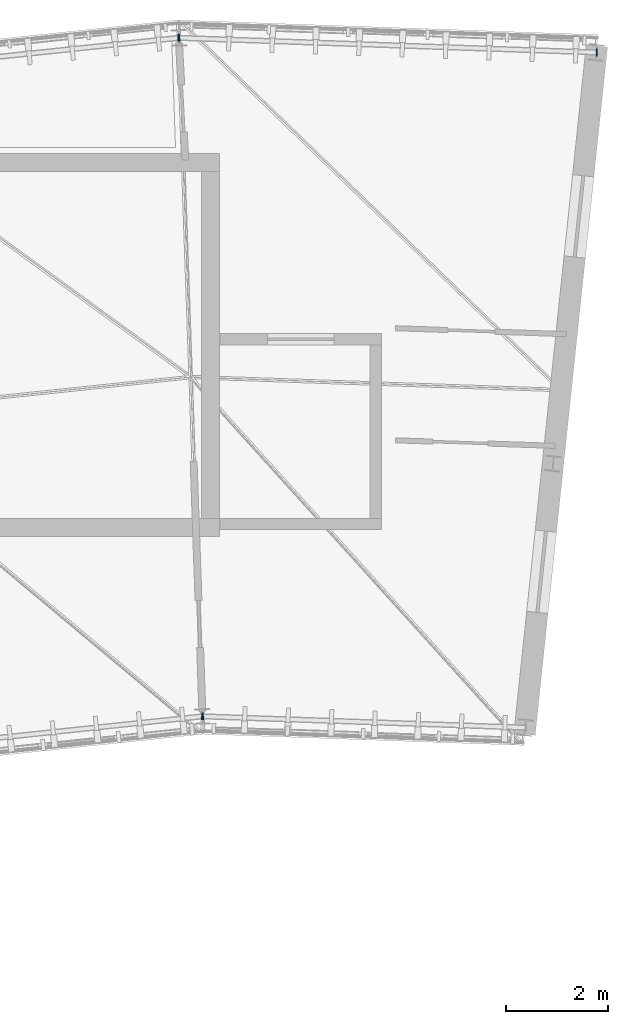
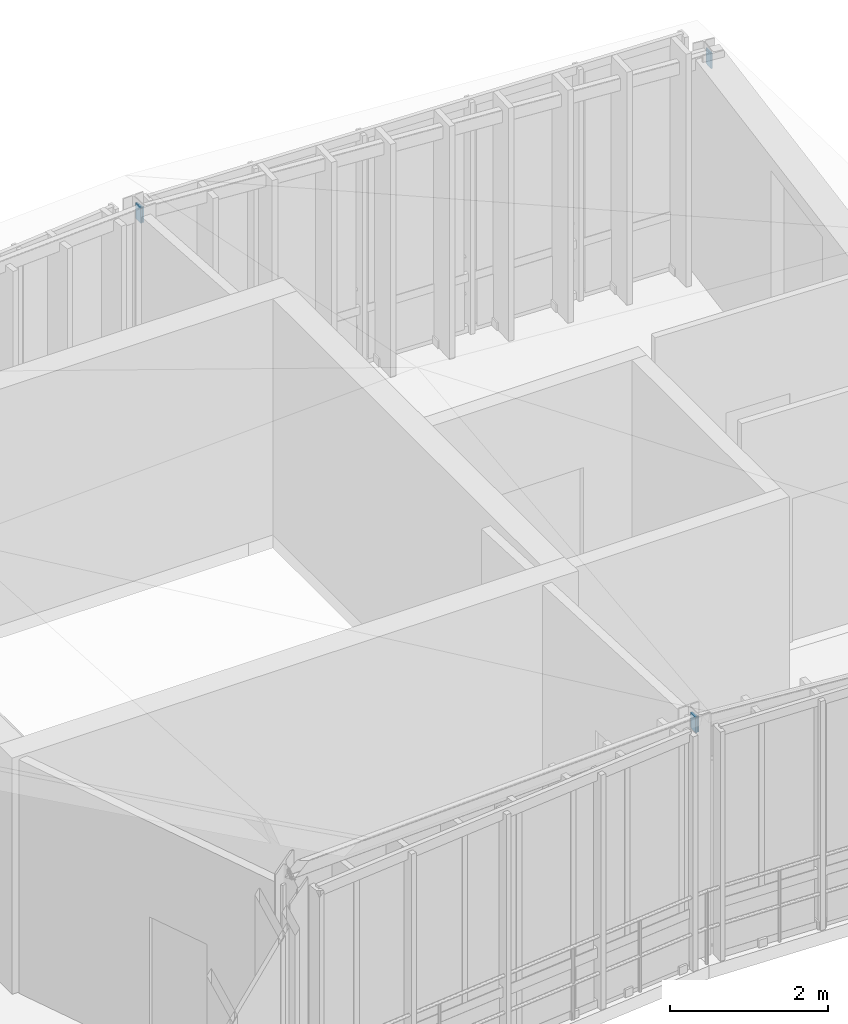
# One storey, part 28 of 42: 5 plates.
"""IFC4 building model written with IfcOpenShell, lengths in metres."""

from ifc_helpers import new_model, si_unit, direction, frame, origin, origin_2d, place, context, subcontext, project, spatial, rectangle, extrude, material, layer, layer_set, type_object, element, save


model = new_model("IFC4")

# Units and contexts
model_context = context("Model", 3, precision=1e-05, world=origin(), true_north=direction((0.0, 1.0)))
body_context = subcontext(model_context, "Body", "Model", "MODEL_VIEW")
ifc_project = project(units=[si_unit("LENGTHUNIT", "METRE"), si_unit("AREAUNIT", "SQUARE_METRE"), si_unit("VOLUMEUNIT", "CUBIC_METRE"), si_unit("PLANEANGLEUNIT", "RADIAN"), si_unit("MASSUNIT", "GRAM", prefix="KILO"), si_unit("THERMODYNAMICTEMPERATUREUNIT", "KELVIN"), si_unit("POWERUNIT", "WATT")], contexts=[model_context])

# Site, building, storey
site_placement = place(None, origin())
site = spatial("IfcSite", under=ifc_project, at=site_placement, CompositionType="ELEMENT")
building_placement = place(site_placement, origin())
building = spatial("IfcBuilding", under=site, at=building_placement, Name="Solvatero Civic Police Headquarters", CompositionType="ELEMENT")
storey_placement = place(building_placement, frame((0.0, 0.0, 21.60009765625)))
storey = spatial("IfcBuildingStorey", under=building, at=storey_placement, Name="L05", CompositionType="ELEMENT", Elevation=21.60009765625)

# Plates
ifc_material = material(Name="Steel S355", Category="steel")
ifc_layer = layer(ifc_material, 0.02001953125)
ifc_layer_set = layer_set([ifc_layer], Name="Steel S355")
plate_type = type_object("IfcPlateType", Name="PLT-CAP-20", PredefinedType="SHEET", material=ifc_layer_set)
for number, where, z_axis, x_axis, name in (
    (1, (92.4072265625, 71.32275390625, 3.44970703125), (0.0, 0.0, 1.0), (-0.999390827019, 0.034899496703, 0.0), "Hollow Section End Cap Plate 0184"),
    (2, (100.140625, 84.328369140625, 3.14990234375), (0.0, 0.0, 1.0), (-0.999390827019, 0.034899496703, 0.0), "Hollow Section End Cap Plate 0185"),
    (3, (91.943115234375, 84.614501953125, 3.44970703125), (0.0, 0.0, 1.0), (-0.999390827019, 0.034899496703, 0.0), "Hollow Section End Cap Plate 0186"),
    (4, (92.42724609375, 71.323486328125, 3.44970703125), (0.0, 0.0, 1.0), (-0.994520070851, -0.104545820933, 0.0), "Hollow Section End Cap Plate 0187"),
    (5, (91.962890625, 84.615234375, 3.44970703125), (0.0, 0.0, 1.0), (-0.994521895368, -0.104528463268, 0.0), "Hollow Section End Cap Plate 0189"),
):
    element("IfcPlate", number, at=place(storey_placement, frame(where, z_axis=z_axis, x_axis=x_axis)), inside=storey, type_object=plate_type, Name=name, PredefinedType="SHEET", context=body_context, shape_type="SweptSolid", body=[
        extrude(rectangle(XDim=0.02001953125, YDim=0.139892578125, at=origin_2d()), origin(), (0.0, 0.0, 1.0), 0.239990234375),
    ])

save(model, "model.ifc")
